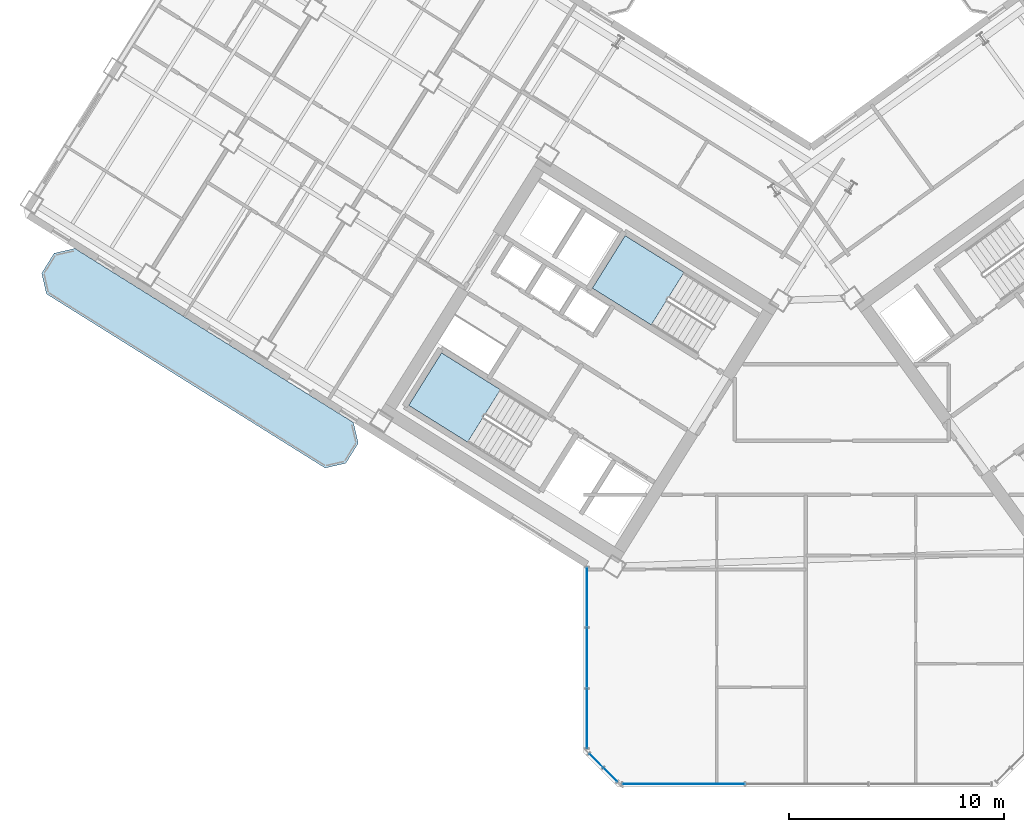
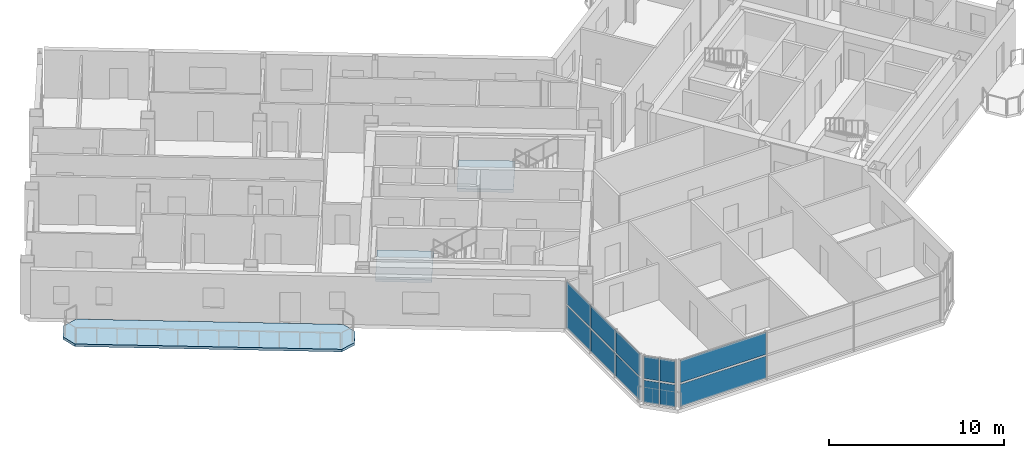
# One storey, part 8 of 20: 12 plates, 3 slabs, 5 elements without a shape of their own.
"""IFC4 building model written with IfcOpenShell, lengths in metres."""

from ifc_helpers import new_model, si_unit, direction, frame, origin, origin_2d, place, context, subcontext, project, spatial, polyline, rectangle, outline, extrude, source, transform, mapped, material, layer, layer_set, type_object, element, aggregate, save


model = new_model("IFC4")

# Units and contexts
model_context = context("Model", 3, precision=1e-05, world=origin(), true_north=direction((0.0, 1.0)))
body_context = subcontext(model_context, "Body", "Model", "MODEL_VIEW")
ifc_project = project(units=[si_unit("LENGTHUNIT", "METRE"), si_unit("AREAUNIT", "SQUARE_METRE"), si_unit("VOLUMEUNIT", "CUBIC_METRE"), si_unit("PLANEANGLEUNIT", "RADIAN"), si_unit("MASSUNIT", "GRAM", prefix="KILO")], contexts=[model_context])

# Site, building, storey
site_placement = place(None, origin())
site = spatial("IfcSite", under=ifc_project, at=site_placement, CompositionType="ELEMENT")
building_placement = place(site_placement, origin())
building = spatial("IfcBuilding", under=site, at=building_placement, Name="Tlacorven Tower", CompositionType="ELEMENT")
storey_placement = place(building_placement, frame((0.0, 0.0, 187.800048828125)))
storey = spatial("IfcBuildingStorey", under=building, at=storey_placement, Name="L47", CompositionType="ELEMENT", Elevation=187.800048828125)

# Slab
ifc_material_1 = material(Name="Precast concrete C45/55", Category="concrete")
ifc_layer_1 = layer(ifc_material_1, 0.179931640625)
ifc_layer_set_1 = layer_set([ifc_layer_1], Name="Precast concrete C45/55")
slab_type_1 = type_object("IfcSlabType", Name="SL-BAL-180", PredefinedType="USERDEFINED", material=ifc_layer_set_1)
slab_1_placement = place(storey_placement, frame((0.0, 0.0, -0.179931640625)))
element("IfcSlab", 1, at=slab_1_placement, inside=storey, type_object=slab_type_1, Name="L47 West Wing Balcony Ribbon OUT", ObjectType="BALCONY SLAB", PredefinedType="USERDEFINED", context=body_context, shape_type="SweptSolid", body=[
    extrude(outline(polyline([(20.88671875, 18.78271484375), (7.91162109375, 26.890625), (6.947021484375, 26.66796875), (6.366943359375, 25.7392578125), (6.589599609375, 24.774658203125), (19.564697265625, 16.6669921875), (20.529296875, 16.8896484375), (21.109375, 17.818115234375), (20.88671875, 18.78271484375)])), origin(), (0.0, 0.0, 1.0), 0.179931640625),
])

# Stair, slab
ifc_material_2 = material(Name="Concrete C40/50", Category="concrete")
stair_type = type_object("IfcStairType", Name="ST-CORE-DLG", PredefinedType="HALF_TURN_STAIR", material=ifc_material_2)
stair_1_placement = place(storey_placement, origin())
stair_1 = element("IfcStair", 2, at=stair_1_placement, inside=storey, type_object=stair_type, Name="L47 Protected Exit Stair West 1", PredefinedType="HALF_TURN_STAIR")
ifc_layer_2 = layer(ifc_material_2, 0.199951171875)
ifc_layer_set_2 = layer_set([ifc_layer_2], Name="Concrete C40/50")
slab_type_2 = type_object("IfcSlabType", Name="SL-LND-200", PredefinedType="LANDING", material=ifc_layer_set_2)
slab_2_placement = place(storey_placement, frame((0.0, 0.0, 1.599853515625)))
slab_2 = element("IfcSlab", 3, at=slab_2_placement, type_object=slab_type_2, Name="ST-W1 landing 1", PredefinedType="LANDING", context=body_context, shape_type="SweptSolid", body=[
    extrude(outline(polyline([(27.728515625, 20.315185546875), (24.9892578125, 22.02685546875), (23.463134765625, 19.58447265625), (26.2021484375, 17.872802734375), (27.728515625, 20.315185546875)])), origin(), (0.0, 0.0, 1.0), 0.2001953125),
])
aggregate(stair_1, [slab_2])

stair_2_placement = place(storey_placement, origin())
stair_2 = element("IfcStair", 4, at=stair_2_placement, inside=storey, type_object=stair_type, Name="L47 Protected Exit Stair West 2", PredefinedType="HALF_TURN_STAIR")
slab_3_placement = place(storey_placement, frame((0.0, 0.0, 1.599853515625)))
slab_3 = element("IfcSlab", 5, at=slab_3_placement, type_object=slab_type_2, Name="ST-W2 landing 1", PredefinedType="LANDING", context=body_context, shape_type="SweptSolid", body=[
    extrude(outline(polyline([(36.280029296875, 25.772705078125), (33.540771484375, 27.484375), (32.0146484375, 25.0419921875), (34.75390625, 23.33056640625), (36.280029296875, 25.772705078125)])), origin(), (0.0, 0.0, 1.0), 0.2001953125),
])
aggregate(stair_2, [slab_3])

# Curtain wall, plates
ifc_material_3 = material(Name="Dark solar low-E double glazing in aluminium frame", Category="aluminium")
curtain_wall_type = type_object("IfcCurtainWallType", Name="CW-TWR-MID", PredefinedType="USERDEFINED", material=ifc_material_3)
curtain_wall_1_placement = place(storey_placement, origin())
curtain_wall_1 = element("IfcCurtainWall", 6, at=curtain_wall_1_placement, inside=storey, type_object=curtain_wall_type, Name="L47 CW-TWR-MID Curtain Wall 218", ObjectType="UNITISED CURTAIN WALL", PredefinedType="USERDEFINED")
ifc_material_4 = material(Name="High-wind dark solar tempered low-E glazing", Category="glass")
ifc_layer_3 = layer(ifc_material_4, 0.028076171875)
ifc_layer_set_3 = layer_set([ifc_layer_3], Name="High-wind dark solar tempered low-E glazing")
plate_type = type_object("IfcPlateType", Name="CWP-03", PredefinedType="CURTAIN_PANEL", material=ifc_layer_set_3)
shared_shape_1 = source(origin(), body_context, "Body", "SweptSolid", [
    extrude(rectangle(XDim=0.885498046875, YDim=0.028076171875, at=origin_2d()), origin(), (0.0, 0.0, 1.0), 1.552978515625),
])
plate_1_placement = place(storey_placement, frame((32.8427734375, 2.38330078125, 0.06103515625), z_axis=(0.0, 0.0, 1.0), x_axis=(-0.707106781187, 0.707106781187, 0.0)))
plate_1 = element("IfcPlate", 7, at=plate_1_placement, type_object=plate_type, Name="CW-L47-218 Glazing Panel 1", PredefinedType="CURTAIN_PANEL", context=body_context, shape_type="MappedRepresentation", body=[
    mapped(shared_shape_1, transform((0.0, 0.0, 0.0), scale=1.0)),
])
plate_2_placement = place(storey_placement, frame((32.8427734375, 2.38330078125, 1.73583984375), z_axis=(0.0, 0.0, 1.0), x_axis=(-0.707106781187, 0.707106781187, 0.0)))
plate_2 = element("IfcPlate", 8, at=plate_2_placement, type_object=plate_type, Name="CW-L47-218 Glazing Panel 2", PredefinedType="CURTAIN_PANEL", context=body_context, shape_type="MappedRepresentation", body=[
    mapped(shared_shape_1, transform((0.0, 0.0, 0.0), scale=1.0)),
])
plate_3_placement = place(storey_placement, frame((32.183349609375, 3.04296875, 0.06103515625), z_axis=(0.0, 0.0, 1.0), x_axis=(-0.707106781187, 0.707106781187, 0.0)))
plate_3 = element("IfcPlate", 9, at=plate_3_placement, type_object=plate_type, Name="CW-L47-218 Glazing Panel 3", PredefinedType="CURTAIN_PANEL", context=body_context, shape_type="MappedRepresentation", body=[
    mapped(shared_shape_1, transform((0.0, 0.0, 0.0), scale=1.0)),
])
plate_4_placement = place(storey_placement, frame((32.183349609375, 3.04296875, 1.73583984375), z_axis=(0.0, 0.0, 1.0), x_axis=(-0.707106781187, 0.707106781187, 0.0)))
plate_4 = element("IfcPlate", 10, at=plate_4_placement, type_object=plate_type, Name="CW-L47-218 Glazing Panel 4", PredefinedType="CURTAIN_PANEL", context=body_context, shape_type="MappedRepresentation", body=[
    mapped(shared_shape_1, transform((0.0, 0.0, 0.0), scale=1.0)),
])
aggregate(curtain_wall_1, [plate_1, plate_2, plate_3, plate_4])

curtain_wall_2_placement = place(storey_placement, origin())
curtain_wall_2 = element("IfcCurtainWall", 11, at=curtain_wall_2_placement, inside=storey, type_object=curtain_wall_type, Name="L47 CW-TWR-MID Curtain Wall 217", ObjectType="UNITISED CURTAIN WALL", PredefinedType="USERDEFINED")
shared_shape_2 = source(origin(), body_context, "Body", "SweptSolid", [
    extrude(rectangle(XDim=5.67626953125, YDim=0.028076171875, at=origin_2d()), origin(), (0.0, 0.0, 1.0), 1.552978515625),
])
plate_5_placement = place(storey_placement, frame((36.260498046875, 1.9599609375, 0.06103515625), z_axis=(0.0, 0.0, 1.0), x_axis=(-1.0, 0.0, 0.0)))
plate_5 = element("IfcPlate", 12, at=plate_5_placement, type_object=plate_type, Name="CW-L47-217 Glazing Panel 5", PredefinedType="CURTAIN_PANEL", context=body_context, shape_type="MappedRepresentation", body=[
    mapped(shared_shape_2, transform((0.0, 0.0, 0.0), scale=1.0)),
])
plate_6_placement = place(storey_placement, frame((36.260498046875, 1.9599609375, 1.73583984375), z_axis=(0.0, 0.0, 1.0), x_axis=(-1.0, 0.0, 0.0)))
plate_6 = element("IfcPlate", 13, at=plate_6_placement, type_object=plate_type, Name="CW-L47-217 Glazing Panel 6", PredefinedType="CURTAIN_PANEL", context=body_context, shape_type="MappedRepresentation", body=[
    mapped(shared_shape_2, transform((0.0, 0.0, 0.0), scale=1.0)),
])
aggregate(curtain_wall_2, [plate_5, plate_6])

curtain_wall_3_placement = place(storey_placement, origin())
curtain_wall_3 = element("IfcCurtainWall", 14, at=curtain_wall_3_placement, inside=storey, type_object=curtain_wall_type, Name="L47 CW-TWR-MID Curtain Wall 219", ObjectType="UNITISED CURTAIN WALL", PredefinedType="USERDEFINED")
shared_shape_3 = source(origin(), body_context, "Body", "SweptSolid", [
    extrude(rectangle(XDim=2.759521484375, YDim=0.028076171875, at=origin_2d()), origin(), (0.0, 0.0, 1.0), 1.552978515625),
])
plate_7_placement = place(storey_placement, frame((31.760009765625, 5.001953125, 0.06103515625), z_axis=(0.0, 0.0, 1.0), x_axis=(0.0, 1.0, 0.0)))
plate_7 = element("IfcPlate", 15, at=plate_7_placement, type_object=plate_type, Name="CW-L47-219 Glazing Panel 1", PredefinedType="CURTAIN_PANEL", context=body_context, shape_type="MappedRepresentation", body=[
    mapped(shared_shape_3, transform((0.0, 0.0, 0.0), scale=1.0)),
])
plate_8_placement = place(storey_placement, frame((31.760009765625, 5.001953125, 1.73583984375), z_axis=(0.0, 0.0, 1.0), x_axis=(0.0, 1.0, 0.0)))
plate_8 = element("IfcPlate", 16, at=plate_8_placement, type_object=plate_type, Name="CW-L47-219 Glazing Panel 2", PredefinedType="CURTAIN_PANEL", context=body_context, shape_type="MappedRepresentation", body=[
    mapped(shared_shape_3, transform((0.0, 0.0, 0.0), scale=1.0)),
])
plate_9_placement = place(storey_placement, frame((31.760009765625, 10.6474609375, 0.06103515625), z_axis=(0.0, 0.0, 1.0), x_axis=(0.0, 1.0, 0.0)))
plate_9 = element("IfcPlate", 17, at=plate_9_placement, type_object=plate_type, Name="CW-L47-219 Glazing Panel 5", PredefinedType="CURTAIN_PANEL", context=body_context, shape_type="MappedRepresentation", body=[
    mapped(shared_shape_3, transform((0.0, 0.0, 0.0), scale=1.0)),
])
plate_10_placement = place(storey_placement, frame((31.760009765625, 10.6474609375, 1.73583984375), z_axis=(0.0, 0.0, 1.0), x_axis=(0.0, 1.0, 0.0)))
plate_10 = element("IfcPlate", 18, at=plate_10_placement, type_object=plate_type, Name="CW-L47-219 Glazing Panel 6", PredefinedType="CURTAIN_PANEL", context=body_context, shape_type="MappedRepresentation", body=[
    mapped(shared_shape_3, transform((0.0, 0.0, 0.0), scale=1.0)),
])
shared_shape_4 = source(origin(), body_context, "Body", "SweptSolid", [
    extrude(rectangle(XDim=2.7919921875, YDim=0.028076171875, at=origin_2d()), origin(), (0.0, 0.0, 1.0), 1.552978515625),
])
plate_11_placement = place(storey_placement, frame((31.760009765625, 7.82470703125, 0.06103515625), z_axis=(0.0, 0.0, 1.0), x_axis=(0.0, 1.0, 0.0)))
plate_11 = element("IfcPlate", 19, at=plate_11_placement, type_object=plate_type, Name="CW-L47-219 Glazing Panel 3", PredefinedType="CURTAIN_PANEL", context=body_context, shape_type="MappedRepresentation", body=[
    mapped(shared_shape_4, transform((0.0, 0.0, 0.0), scale=1.0)),
])
plate_12_placement = place(storey_placement, frame((31.760009765625, 7.82470703125, 1.73583984375), z_axis=(0.0, 0.0, 1.0), x_axis=(0.0, 1.0, 0.0)))
plate_12 = element("IfcPlate", 20, at=plate_12_placement, type_object=plate_type, Name="CW-L47-219 Glazing Panel 4", PredefinedType="CURTAIN_PANEL", context=body_context, shape_type="MappedRepresentation", body=[
    mapped(shared_shape_4, transform((0.0, 0.0, 0.0), scale=1.0)),
])
aggregate(curtain_wall_3, [plate_7, plate_8, plate_11, plate_12, plate_9, plate_10])

save(model, "model.ifc")
